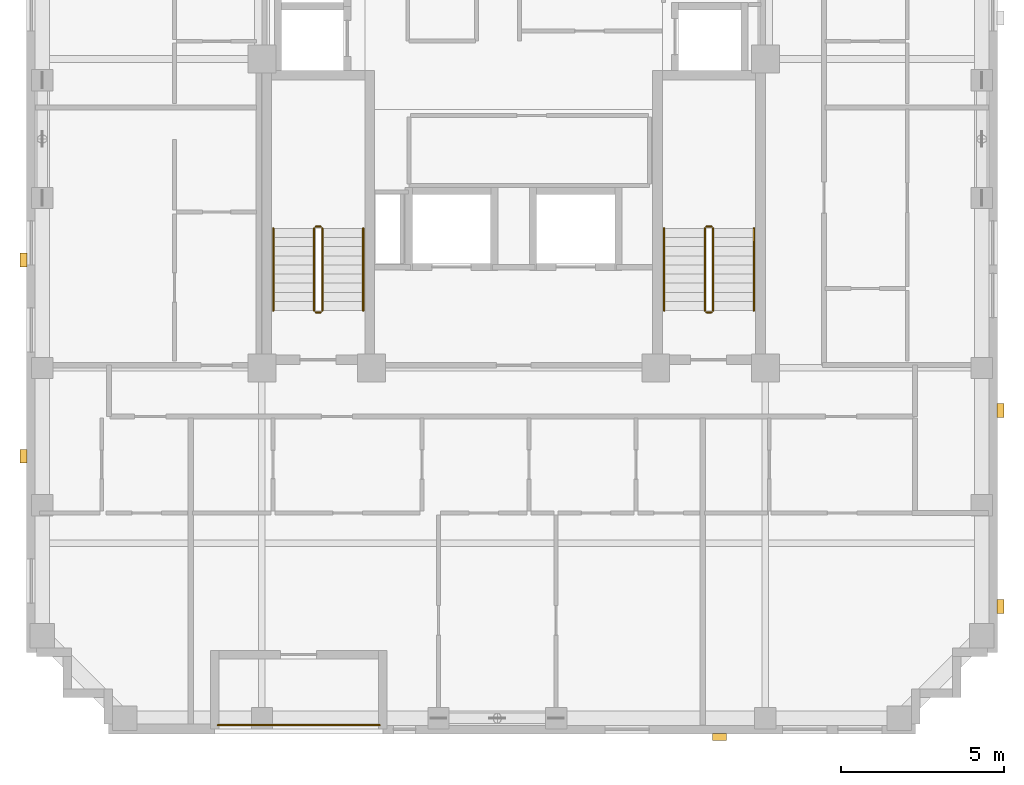
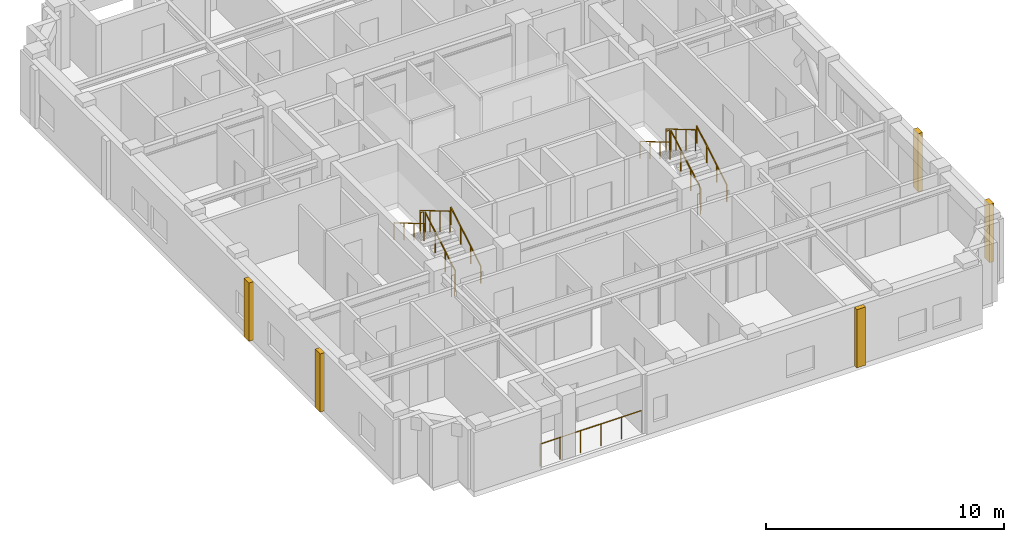
# One storey, part 10 of 11: 13 railings, 5 coverings.
"""IFC4 building model written with IfcOpenShell, lengths in metres."""

from ifc_helpers import new_model, si_unit, derived_unit, direction, frame, origin, origin_2d, place, context, subcontext, project, spatial, rectangle, circle, extrude, material, layer, layer_set, type_object, element, save


model = new_model("IFC4")

# Units and contexts
model_context = context("Model", 3, precision=1e-05, world=origin(), true_north=direction((0.0, 1.0)))
body_context = subcontext(model_context, "Body", "Model", "MODEL_VIEW")
ifc_project = project(units=[si_unit("LENGTHUNIT", "METRE"), si_unit("AREAUNIT", "SQUARE_METRE"), si_unit("VOLUMEUNIT", "CUBIC_METRE"), si_unit("PLANEANGLEUNIT", "RADIAN"), si_unit("MASSUNIT", "GRAM", prefix="KILO"), derived_unit("THERMALTRANSMITTANCEUNIT", [(si_unit("MASSUNIT", "GRAM", prefix="KILO"), 1), (si_unit("TIMEUNIT", "SECOND"), -3), (si_unit("THERMODYNAMICTEMPERATUREUNIT", "KELVIN"), -1)])], contexts=[model_context])

# Site, building, storey
site_placement = place(None, origin())
site = spatial("IfcSite", under=ifc_project, at=site_placement, CompositionType="ELEMENT")
building_placement = place(site_placement, origin())
building = spatial("IfcBuilding", under=site, at=building_placement, Name="Korrvale Station Residences", CompositionType="ELEMENT")
storey_placement = place(building_placement, frame((0.0, 0.0, 187.60009765625)))
storey = spatial("IfcBuildingStorey", under=building, at=storey_placement, Name="L54", CompositionType="ELEMENT", Elevation=187.60009765625)

# Coverings
ifc_material_1 = material(Name="Architectural precast concrete C45/55", Category="concrete")
ifc_layer = layer(ifc_material_1, 0.219970703125, Name="Architectural precast concrete C45/55")
ifc_layer_set = layer_set([ifc_layer], Name="Architectural precast concrete C45/55")
covering_type = type_object("IfcCoveringType", Name="COV-PIER-400", PredefinedType="CLADDING", material=ifc_layer_set)
for number, where, z_axis, x_axis, name in (
    (1, (31.800048828125, 3.7099609375, 0.02490234375), (0.0, 0.0, 1.0), (1.0, 0.0, 0.0), "L54 Architectural Precast Facade Pier 01"),
    (2, (10.510009765625, 12.300048828125, 0.02490234375), (0.0, 0.0, 1.0), (0.0, 1.0, 0.0), "L54 Architectural Precast Facade Pier 02"),
    (3, (10.510009765625, 18.300048828125, 0.02490234375), (0.0, 0.0, 1.0), (0.0, 1.0, 0.0), "L54 Architectural Precast Facade Pier 03"),
    (4, (40.389892578125, 13.699951171875, 0.02490234375), (0.0, 0.0, 1.0), (0.0, 1.0, 0.0), "L54 Architectural Precast Facade Pier 08"),
    (5, (40.389892578125, 7.699951171875, 0.02490234375), (0.0, 0.0, 1.0), (0.0, 1.0, 0.0), "L54 Architectural Precast Facade Pier 09"),
):
    element("IfcCovering", number, at=place(storey_placement, frame(where, z_axis=z_axis, x_axis=x_axis)), inside=storey, type_object=covering_type, Name=name, PredefinedType="CLADDING", context=body_context, shape_type="SweptSolid", body=[
        extrude(rectangle(XDim=0.419921875, YDim=0.219970703125, at=origin_2d()), origin(), (0.0, 0.0, 1.0), 2.989990234375),
    ])

# Railings
ifc_material_2 = material(Name="Powder-coated aluminium picket loggia guard", Category="aluminium")
railing_type_1 = type_object("IfcRailingType", Name="RLG-BAL-1150", PredefinedType="GUARDRAIL", material=ifc_material_2)
railing_1_placement = place(storey_placement, frame((16.449951171875, 4.070068359375, 0.0)))
element("IfcRailing", 6, at=railing_1_placement, inside=storey, type_object=railing_type_1, Name="L54 Recessed Loggia Guardrail BAL-L54-S1", PredefinedType="GUARDRAIL", context=body_context, shape_type="SweptSolid", body=[
    extrude(circle(Radius=0.02392578125, at=origin_2d()), frame((0.0, 0.0, 1.1259765625), z_axis=(1.0, 0.0, 0.0), x_axis=(0.0, 1.0, 0.0)), (0.0, 0.0, 1.0), 4.949951171875),
    extrude(circle(Radius=0.02099609375, at=origin_2d()), origin(), (0.0, 0.0, 1.0), 1.101806640625),
    extrude(circle(Radius=0.02099609375, at=origin_2d()), frame((0.989990234375, 0.0, 0.0)), (0.0, 0.0, 1.0), 1.101806640625),
    extrude(circle(Radius=0.02099609375, at=origin_2d()), frame((1.97998046875, 0.0, 0.0)), (0.0, 0.0, 1.0), 1.101806640625),
    extrude(circle(Radius=0.02099609375, at=origin_2d()), frame((2.969970703125, 0.0, 0.0)), (0.0, 0.0, 1.0), 1.101806640625),
    extrude(circle(Radius=0.02099609375, at=origin_2d()), frame((3.9599609375, 0.0, 0.0)), (0.0, 0.0, 1.0), 1.101806640625),
    extrude(circle(Radius=0.02099609375, at=origin_2d()), frame((4.949951171875, 0.0, 0.0)), (0.0, 0.0, 1.0), 1.101806640625),
])
ifc_material_3 = material(Name="Brushed stainless-steel continuous stair handrail", Category="steel")
railing_type_2 = type_object("IfcRailingType", Name="RLG-SHND-900", PredefinedType="HANDRAIL", material=ifc_material_3)
railing_2_placement = place(storey_placement, frame((20.89990234375, 16.75, 0.164794921875)))
element("IfcRailing", 7, at=railing_2_placement, inside=storey, type_object=railing_type_2, Name="L54 ST-1 stair handrail 1", PredefinedType="HANDRAIL", context=body_context, shape_type="SweptSolid", body=[
    extrude(circle(Radius=0.02392578125, at=origin_2d()), frame((0.0, 0.0, 0.8759765625), z_axis=(0.0, 0.86152411907, 0.507716645641), x_axis=(-1.0, 0.0, 0.0)), (0.0, 0.0, 1.0), 2.925048828125),
    extrude(circle(Radius=0.02099609375, at=origin_2d()), origin(), (0.0, 0.0, 1.0), 0.851806640625),
    extrude(circle(Radius=0.02099609375, at=origin_2d()), frame((0.0, 0.840087890625, 0.4951171875)), (0.0, 0.0, 1.0), 0.851806640625),
    extrude(circle(Radius=0.02099609375, at=origin_2d()), frame((0.0, 1.679931640625, 0.989990234375)), (0.0, 0.0, 1.0), 0.851806640625),
    extrude(circle(Radius=0.02099609375, at=origin_2d()), frame((0.0, 2.52001953125, 1.485107421875)), (0.0, 0.0, 1.0), 0.851806640625),
])
railing_3_placement = place(storey_placement, frame((18.14990234375, 19.27001953125, 1.81494140625)))
element("IfcRailing", 8, at=railing_3_placement, inside=storey, type_object=railing_type_2, Name="L54 ST-1 stair handrail 2", PredefinedType="HANDRAIL", context=body_context, shape_type="SweptSolid", body=[
    extrude(circle(Radius=0.02392578125, at=origin_2d()), frame((0.0, 0.0, 0.8759765625), z_axis=(0.0, -0.861560626758, 0.507654692109), x_axis=(1.0, 0.0, 0.0)), (0.0, 0.0, 1.0), 2.925048828125),
    extrude(circle(Radius=0.02099609375, at=origin_2d()), origin(), (0.0, 0.0, 1.0), 0.851806640625),
    extrude(circle(Radius=0.02099609375, at=origin_2d()), frame((0.0, -0.840087890625, 0.494873046875)), (0.0, 0.0, 1.0), 0.851806640625),
    extrude(circle(Radius=0.02099609375, at=origin_2d()), frame((0.0, -1.679931640625, 0.989990234375)), (0.0, 0.0, 1.0), 0.851806640625),
    extrude(circle(Radius=0.02099609375, at=origin_2d()), frame((0.0, -2.52001953125, 1.48486328125)), (0.0, 0.0, 1.0), 0.851806640625),
])
railing_4_placement = place(storey_placement, frame((32.85009765625, 16.75, 0.164794921875)))
element("IfcRailing", 9, at=railing_4_placement, inside=storey, type_object=railing_type_2, Name="L54 ST-2 stair handrail 1", PredefinedType="HANDRAIL", context=body_context, shape_type="SweptSolid", body=[
    extrude(circle(Radius=0.02392578125, at=origin_2d()), frame((0.0, 0.0, 0.8759765625), z_axis=(0.0, 0.86152411907, 0.507716645641), x_axis=(-1.0, 0.0, 0.0)), (0.0, 0.0, 1.0), 2.925048828125),
    extrude(circle(Radius=0.02099609375, at=origin_2d()), origin(), (0.0, 0.0, 1.0), 0.851806640625),
    extrude(circle(Radius=0.02099609375, at=origin_2d()), frame((0.0, 0.840087890625, 0.4951171875)), (0.0, 0.0, 1.0), 0.851806640625),
    extrude(circle(Radius=0.02099609375, at=origin_2d()), frame((0.0, 1.679931640625, 0.989990234375)), (0.0, 0.0, 1.0), 0.851806640625),
    extrude(circle(Radius=0.02099609375, at=origin_2d()), frame((0.0, 2.52001953125, 1.485107421875)), (0.0, 0.0, 1.0), 0.851806640625),
])
railing_5_placement = place(storey_placement, frame((30.10009765625, 19.27001953125, 1.81494140625)))
element("IfcRailing", 10, at=railing_5_placement, inside=storey, type_object=railing_type_2, Name="L54 ST-2 stair handrail 2", PredefinedType="HANDRAIL", context=body_context, shape_type="SweptSolid", body=[
    extrude(circle(Radius=0.02392578125, at=origin_2d()), frame((0.0, 0.0, 0.8759765625), z_axis=(0.0, -0.861560626758, 0.507654692109), x_axis=(1.0, 0.0, 0.0)), (0.0, 0.0, 1.0), 2.925048828125),
    extrude(circle(Radius=0.02099609375, at=origin_2d()), origin(), (0.0, 0.0, 1.0), 0.851806640625),
    extrude(circle(Radius=0.02099609375, at=origin_2d()), frame((0.0, -0.840087890625, 0.494873046875)), (0.0, 0.0, 1.0), 0.851806640625),
    extrude(circle(Radius=0.02099609375, at=origin_2d()), frame((0.0, -1.679931640625, 0.989990234375)), (0.0, 0.0, 1.0), 0.851806640625),
    extrude(circle(Radius=0.02099609375, at=origin_2d()), frame((0.0, -2.52001953125, 1.48486328125)), (0.0, 0.0, 1.0), 0.851806640625),
])
ifc_material_4 = material(Name="Galvanised painted tubular steel stair guard", Category="steel")
railing_type_3 = type_object("IfcRailingType", Name="RLG-STR-1100", PredefinedType="GUARDRAIL", material=ifc_material_4)
railing_6_placement = place(storey_placement, frame((19.64990234375, 16.75, 0.164794921875)))
element("IfcRailing", 11, at=railing_6_placement, inside=storey, type_object=railing_type_3, Name="L54 ST-1 stair guard 1", PredefinedType="GUARDRAIL", context=body_context, shape_type="SweptSolid", body=[
    extrude(circle(Radius=0.02392578125, at=origin_2d()), frame((0.0, 0.0, 1.076171875), z_axis=(0.0, 0.86152411907, 0.507716645641), x_axis=(-1.0, 0.0, 0.0)), (0.0, 0.0, 1.0), 2.925048828125),
    extrude(circle(Radius=0.02099609375, at=origin_2d()), origin(), (0.0, 0.0, 1.0), 1.052001953125),
    extrude(circle(Radius=0.02099609375, at=origin_2d()), frame((0.0, 0.840087890625, 0.4951171875)), (0.0, 0.0, 1.0), 1.052001953125),
    extrude(circle(Radius=0.02099609375, at=origin_2d()), frame((0.0, 1.679931640625, 0.989990234375)), (0.0, 0.0, 1.0), 1.052001953125),
    extrude(circle(Radius=0.02099609375, at=origin_2d()), frame((0.0, 2.52001953125, 1.485107421875)), (0.0, 0.0, 1.0), 1.052001953125),
])
railing_7_placement = place(storey_placement, frame((19.60009765625, 19.320068359375, 1.64990234375)))
element("IfcRailing", 12, at=railing_7_placement, inside=storey, type_object=railing_type_3, Name="L54 ST-1 stair guard 2", PredefinedType="GUARDRAIL", context=body_context, shape_type="SweptSolid", body=[
    extrude(circle(Radius=0.02392578125, at=origin_2d()), frame((0.0, 0.0, 1.076171875), z_axis=(-1.0, 0.0, 0.0), x_axis=(0.0, -1.0, 0.0)), (0.0, 0.0, 1.0), 0.150146484375),
    extrude(circle(Radius=0.02099609375, at=origin_2d()), origin(), (0.0, 0.0, 1.0), 1.052001953125),
    extrude(circle(Radius=0.02099609375, at=origin_2d()), frame((-0.150146484375, 0.0, 0.0)), (0.0, 0.0, 1.0), 1.052001953125),
])
railing_8_placement = place(storey_placement, frame((19.39990234375, 19.27001953125, 1.81494140625)))
element("IfcRailing", 13, at=railing_8_placement, inside=storey, type_object=railing_type_3, Name="L54 ST-1 stair guard 3", PredefinedType="GUARDRAIL", context=body_context, shape_type="SweptSolid", body=[
    extrude(circle(Radius=0.02392578125, at=origin_2d()), frame((0.0, 0.0, 1.076171875), z_axis=(0.0, -0.861560626758, 0.507654692109), x_axis=(1.0, 0.0, 0.0)), (0.0, 0.0, 1.0), 2.925048828125),
    extrude(circle(Radius=0.02099609375, at=origin_2d()), origin(), (0.0, 0.0, 1.0), 1.052001953125),
    extrude(circle(Radius=0.02099609375, at=origin_2d()), frame((0.0, -0.840087890625, 0.494873046875)), (0.0, 0.0, 1.0), 1.052001953125),
    extrude(circle(Radius=0.02099609375, at=origin_2d()), frame((0.0, -1.679931640625, 0.989990234375)), (0.0, 0.0, 1.0), 1.052001953125),
    extrude(circle(Radius=0.02099609375, at=origin_2d()), frame((0.0, -2.52001953125, 1.48486328125)), (0.0, 0.0, 1.0), 1.052001953125),
])
railing_9_placement = place(storey_placement, frame((19.60009765625, 16.699951171875, 0.0)))
element("IfcRailing", 14, at=railing_9_placement, inside=storey, type_object=railing_type_3, Name="L54 ST-1 stair guard 4", PredefinedType="GUARDRAIL", context=body_context, shape_type="SweptSolid", body=[
    extrude(circle(Radius=0.02392578125, at=origin_2d()), frame((0.0, 0.0, 1.076171875), z_axis=(-1.0, 0.0, 0.0), x_axis=(0.0, -1.0, 0.0)), (0.0, 0.0, 1.0), 0.150146484375),
    extrude(circle(Radius=0.02099609375, at=origin_2d()), origin(), (0.0, 0.0, 1.0), 1.052001953125),
    extrude(circle(Radius=0.02099609375, at=origin_2d()), frame((-0.150146484375, 0.0, 0.0)), (0.0, 0.0, 1.0), 1.052001953125),
])
railing_10_placement = place(storey_placement, frame((31.60009765625, 16.75, 0.164794921875)))
element("IfcRailing", 15, at=railing_10_placement, inside=storey, type_object=railing_type_3, Name="L54 ST-2 stair guard 1", PredefinedType="GUARDRAIL", context=body_context, shape_type="SweptSolid", body=[
    extrude(circle(Radius=0.02392578125, at=origin_2d()), frame((0.0, 0.0, 1.076171875), z_axis=(0.0, 0.86152411907, 0.507716645641), x_axis=(-1.0, 0.0, 0.0)), (0.0, 0.0, 1.0), 2.925048828125),
    extrude(circle(Radius=0.02099609375, at=origin_2d()), origin(), (0.0, 0.0, 1.0), 1.052001953125),
    extrude(circle(Radius=0.02099609375, at=origin_2d()), frame((0.0, 0.840087890625, 0.4951171875)), (0.0, 0.0, 1.0), 1.052001953125),
    extrude(circle(Radius=0.02099609375, at=origin_2d()), frame((0.0, 1.679931640625, 0.989990234375)), (0.0, 0.0, 1.0), 1.052001953125),
    extrude(circle(Radius=0.02099609375, at=origin_2d()), frame((0.0, 2.52001953125, 1.485107421875)), (0.0, 0.0, 1.0), 1.052001953125),
])
railing_11_placement = place(storey_placement, frame((31.550048828125, 19.320068359375, 1.64990234375)))
element("IfcRailing", 16, at=railing_11_placement, inside=storey, type_object=railing_type_3, Name="L54 ST-2 stair guard 2", PredefinedType="GUARDRAIL", context=body_context, shape_type="SweptSolid", body=[
    extrude(circle(Radius=0.02392578125, at=origin_2d()), frame((0.0, 0.0, 1.076171875), z_axis=(-1.0, 0.0, 0.0), x_axis=(0.0, -1.0, 0.0)), (0.0, 0.0, 1.0), 0.150146484375),
    extrude(circle(Radius=0.02099609375, at=origin_2d()), origin(), (0.0, 0.0, 1.0), 1.052001953125),
    extrude(circle(Radius=0.02099609375, at=origin_2d()), frame((-0.150146484375, 0.0, 0.0)), (0.0, 0.0, 1.0), 1.052001953125),
])
railing_12_placement = place(storey_placement, frame((31.35009765625, 19.27001953125, 1.81494140625)))
element("IfcRailing", 17, at=railing_12_placement, inside=storey, type_object=railing_type_3, Name="L54 ST-2 stair guard 3", PredefinedType="GUARDRAIL", context=body_context, shape_type="SweptSolid", body=[
    extrude(circle(Radius=0.02392578125, at=origin_2d()), frame((0.0, 0.0, 1.076171875), z_axis=(0.0, -0.861560626758, 0.507654692109), x_axis=(1.0, 0.0, 0.0)), (0.0, 0.0, 1.0), 2.925048828125),
    extrude(circle(Radius=0.02099609375, at=origin_2d()), origin(), (0.0, 0.0, 1.0), 1.052001953125),
    extrude(circle(Radius=0.02099609375, at=origin_2d()), frame((0.0, -0.840087890625, 0.494873046875)), (0.0, 0.0, 1.0), 1.052001953125),
    extrude(circle(Radius=0.02099609375, at=origin_2d()), frame((0.0, -1.679931640625, 0.989990234375)), (0.0, 0.0, 1.0), 1.052001953125),
    extrude(circle(Radius=0.02099609375, at=origin_2d()), frame((0.0, -2.52001953125, 1.48486328125)), (0.0, 0.0, 1.0), 1.052001953125),
])
railing_13_placement = place(storey_placement, frame((31.550048828125, 16.699951171875, 0.0)))
element("IfcRailing", 18, at=railing_13_placement, inside=storey, type_object=railing_type_3, Name="L54 ST-2 stair guard 4", PredefinedType="GUARDRAIL", context=body_context, shape_type="SweptSolid", body=[
    extrude(circle(Radius=0.02392578125, at=origin_2d()), frame((0.0, 0.0, 1.076171875), z_axis=(-1.0, 0.0, 0.0), x_axis=(0.0, -1.0, 0.0)), (0.0, 0.0, 1.0), 0.150146484375),
    extrude(circle(Radius=0.02099609375, at=origin_2d()), origin(), (0.0, 0.0, 1.0), 1.052001953125),
    extrude(circle(Radius=0.02099609375, at=origin_2d()), frame((-0.150146484375, 0.0, 0.0)), (0.0, 0.0, 1.0), 1.052001953125),
])

save(model, "model.ifc")
